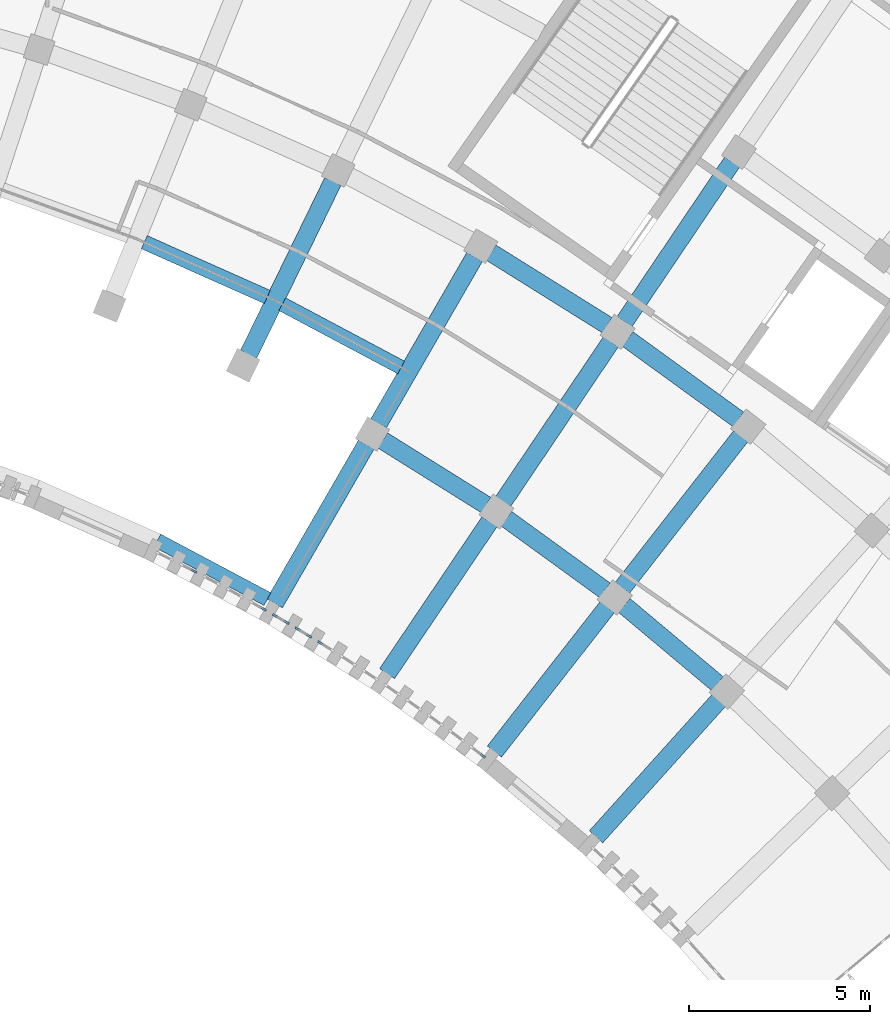
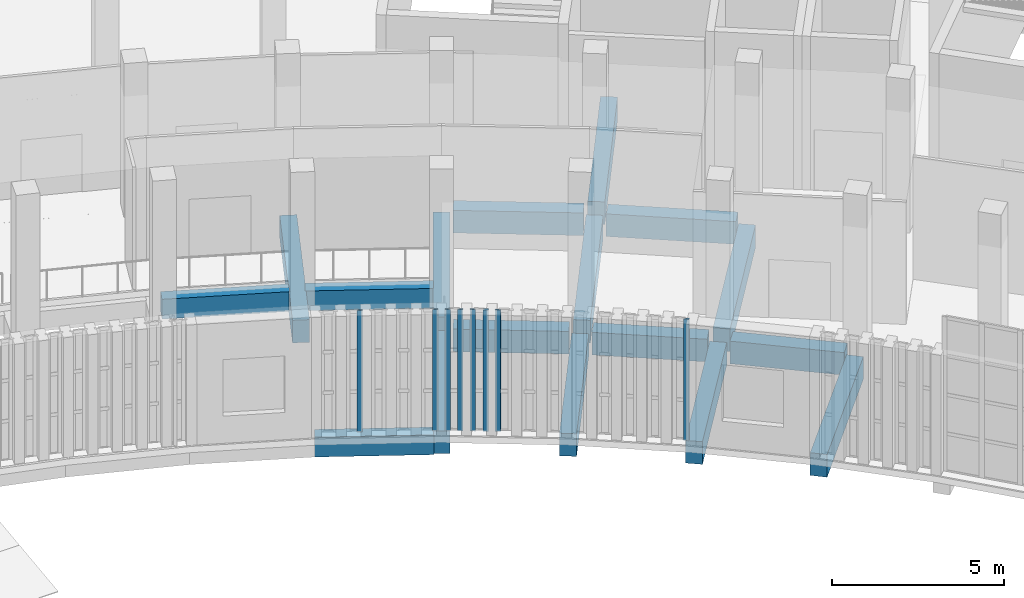
# One storey, part 15 of 112: 17 beams, 8 members, 6 elements without a shape of their own.
"""IFC4 building model written with IfcOpenShell, lengths in metres."""

from ifc_helpers import new_model, si_unit, direction, frame, origin, origin_2d, place, context, subcontext, project, spatial, rectangle, extrude, material, layer, layer_set, material_profile, profile_set, type_object, element, aggregate, save


model = new_model("IFC4")

# Units and contexts
model_context = context("Model", 3, precision=1e-05, world=origin(), true_north=direction((0.0, 1.0)))
body_context = subcontext(model_context, "Body", "Model", "MODEL_VIEW")
ifc_project = project(units=[si_unit("LENGTHUNIT", "METRE"), si_unit("AREAUNIT", "SQUARE_METRE"), si_unit("VOLUMEUNIT", "CUBIC_METRE"), si_unit("PLANEANGLEUNIT", "RADIAN"), si_unit("MASSUNIT", "GRAM", prefix="KILO")], contexts=[model_context])

# Site, building, storey
site_placement = place(None, origin())
site = spatial("IfcSite", under=ifc_project, at=site_placement, CompositionType="ELEMENT")
building_placement = place(site_placement, origin())
building = spatial("IfcBuilding", under=site, at=building_placement, Name="Lunette Opera House", CompositionType="ELEMENT")
storey_placement = place(building_placement, frame((0.0, 0.0, 6.0)))
storey = spatial("IfcBuildingStorey", under=building, at=storey_placement, Name="L01", CompositionType="ELEMENT", Elevation=6.0)

# Curtain wall, member
ifc_material_1 = material(Name="Aluminium", Category="aluminium")
ifc_layer = layer(ifc_material_1, 0.1201171875)
ifc_layer_set = layer_set([ifc_layer], Name="Aluminium")
curtain_wall_type = type_object("IfcCurtainWallType", Name="SLOT CURTAIN WALL", PredefinedType="NOTDEFINED", material=ifc_layer_set)
curtain_wall_1_placement = place(storey_placement, origin())
curtain_wall_1 = element("IfcCurtainWall", 1, at=curtain_wall_1_placement, inside=storey, type_object=curtain_wall_type, Name="Slot Curtain Wall CS062 L01", PredefinedType="NOTDEFINED")
ifc_material_2 = material(Name="Aluminium", Category="aluminium")
ifc_material_profile_1 = material_profile(ifc_material_2, rectangle(XDim=0.06005859375, YDim=0.159912109375, at=origin_2d()), Name="MULLION 60 X 160")
ifc_profile_set_1 = profile_set([ifc_material_profile_1], Name="Aluminium")
member_type = type_object("IfcMemberType", Name="MULLION 60 X 160", PredefinedType="MULLION", material=ifc_profile_set_1)
member_1_placement = place(storey_placement, frame((120.0703125, 46.431640625, 0.0), z_axis=(0.0, 0.0, 1.0), x_axis=(0.45650577905, 0.889720446935, 0.0)))
member_1 = element("IfcMember", 2, at=member_1_placement, type_object=member_type, Name="FC-X2124 mullion 2", PredefinedType="MULLION", context=body_context, shape_type="SweptSolid", body=[
    extrude(rectangle(XDim=0.06005859375, YDim=0.159912109375, at=origin_2d()), origin(), (0.0, 0.0, 1.0), 4.300048828125),
])
aggregate(curtain_wall_1, [member_1])

curtain_wall_2_placement = place(storey_placement, origin())
curtain_wall_2 = element("IfcCurtainWall", 3, at=curtain_wall_2_placement, inside=storey, type_object=curtain_wall_type, Name="Slot Curtain Wall CS065 L01", PredefinedType="NOTDEFINED")
member_2_placement = place(storey_placement, frame((121.993896484375, 45.3828125, 0.0), z_axis=(0.0, 0.0, 1.0), x_axis=(0.493129947711, 0.869955662474, 0.0)))
member_2 = element("IfcMember", 4, at=member_2_placement, type_object=member_type, Name="FC-X2130 mullion 2", PredefinedType="MULLION", context=body_context, shape_type="SweptSolid", body=[
    extrude(rectangle(XDim=0.06005859375, YDim=0.159912109375, at=origin_2d()), origin(), (0.0, 0.0, 1.0), 4.300048828125),
])
aggregate(curtain_wall_2, [member_2])

# Curtain wall, members
curtain_wall_3_placement = place(storey_placement, origin())
curtain_wall_3 = element("IfcCurtainWall", 5, at=curtain_wall_3_placement, inside=storey, type_object=curtain_wall_type, Name="Slot Curtain Wall CS066 L01", PredefinedType="NOTDEFINED")
member_3_placement = place(storey_placement, frame((122.305908203125, 45.202880859375, 0.0), z_axis=(0.0, 0.0, 1.0), x_axis=(0.506613832884, 0.862173082583, 0.0)))
member_3 = element("IfcMember", 6, at=member_3_placement, type_object=member_type, Name="FC-X2132 mullion 1", PredefinedType="MULLION", context=body_context, shape_type="SweptSolid", body=[
    extrude(rectangle(XDim=0.06005859375, YDim=0.159912109375, at=origin_2d()), origin(), (0.0, 0.0, 1.0), 4.300048828125),
])
member_4_placement = place(storey_placement, frame((122.625244140625, 45.01513671875, 0.0), z_axis=(0.0, 0.0, 1.0), x_axis=(0.506613832884, 0.862173082583, 0.0)))
member_4 = element("IfcMember", 7, at=member_4_placement, type_object=member_type, Name="FC-X2132 mullion 2", PredefinedType="MULLION", context=body_context, shape_type="SweptSolid", body=[
    extrude(rectangle(XDim=0.06005859375, YDim=0.159912109375, at=origin_2d()), origin(), (0.0, 0.0, 1.0), 4.300048828125),
])
aggregate(curtain_wall_3, [member_3, member_4])

curtain_wall_4_placement = place(storey_placement, origin())
curtain_wall_4 = element("IfcCurtainWall", 8, at=curtain_wall_4_placement, inside=storey, type_object=curtain_wall_type, Name="Slot Curtain Wall CS067 L01", PredefinedType="NOTDEFINED")
member_5_placement = place(storey_placement, frame((122.9345703125, 44.83154296875, 0.0), z_axis=(0.0, 0.0, 1.0), x_axis=(0.518250209625, 0.855229045475, 0.0)))
member_5 = element("IfcMember", 9, at=member_5_placement, type_object=member_type, Name="FC-X2134 mullion 1", PredefinedType="MULLION", context=body_context, shape_type="SweptSolid", body=[
    extrude(rectangle(XDim=0.06005859375, YDim=0.159912109375, at=origin_2d()), origin(), (0.0, 0.0, 1.0), 4.300048828125),
])
member_6_placement = place(storey_placement, frame((123.25146484375, 44.6396484375, 0.0), z_axis=(0.0, 0.0, 1.0), x_axis=(0.518250209625, 0.855229045475, 0.0)))
member_6 = element("IfcMember", 10, at=member_6_placement, type_object=member_type, Name="FC-X2134 mullion 2", PredefinedType="MULLION", context=body_context, shape_type="SweptSolid", body=[
    extrude(rectangle(XDim=0.06005859375, YDim=0.159912109375, at=origin_2d()), origin(), (0.0, 0.0, 1.0), 4.300048828125),
])
aggregate(curtain_wall_4, [member_5, member_6])

# Curtain wall, member
curtain_wall_5_placement = place(storey_placement, origin())
curtain_wall_5 = element("IfcCurtainWall", 11, at=curtain_wall_5_placement, inside=storey, type_object=curtain_wall_type, Name="Slot Curtain Wall CS068 L01", PredefinedType="NOTDEFINED")
member_7_placement = place(storey_placement, frame((123.557373046875, 44.451171875, 0.0), z_axis=(0.0, 0.0, 1.0), x_axis=(0.52979005735, 0.848128819893, 0.0)))
member_7 = element("IfcMember", 12, at=member_7_placement, type_object=member_type, Name="FC-X2136 mullion 1", PredefinedType="MULLION", context=body_context, shape_type="SweptSolid", body=[
    extrude(rectangle(XDim=0.06005859375, YDim=0.159912109375, at=origin_2d()), origin(), (0.0, 0.0, 1.0), 4.300048828125),
])
aggregate(curtain_wall_5, [member_7])

curtain_wall_6_placement = place(storey_placement, origin())
curtain_wall_6 = element("IfcCurtainWall", 13, at=curtain_wall_6_placement, inside=storey, type_object=curtain_wall_type, Name="Slot Curtain Wall CS075 L01", PredefinedType="NOTDEFINED")
member_8_placement = place(storey_placement, frame((128.05712890625, 41.3232421875, 0.0), z_axis=(0.0, 0.0, 1.0), x_axis=(0.610720263036, 0.791846424704, 0.0)))
member_8 = element("IfcMember", 14, at=member_8_placement, type_object=member_type, Name="FC-X2150 mullion 2", PredefinedType="MULLION", context=body_context, shape_type="SweptSolid", body=[
    extrude(rectangle(XDim=0.06005859375, YDim=0.159912109375, at=origin_2d()), origin(), (0.0, 0.0, 1.0), 4.300048828125),
])
aggregate(curtain_wall_6, [member_8])

# Beams
ifc_material_3 = material(Name="Concrete C35/45", Category="concrete")
ifc_material_profile_2 = material_profile(ifc_material_3, rectangle(XDim=0.39990234375, YDim=0.699951171875, at=origin_2d()), Name="RC BEAM 400X700")
ifc_profile_set_2 = profile_set([ifc_material_profile_2], Name="Concrete C35/45")
beam_type_1 = type_object("IfcBeamType", Name="RC BEAM 400X700", PredefinedType="BEAM", material=ifc_profile_set_2)
for number, where, z_axis, x_axis, name in (
    (15, (118.68701171875, 55.537109375, -0.570068359375), (0.913535831, -0.40675826418, 0.0), (0.40675826418, 0.913535831, 0.0), "beam-FC-L01-TRL01-013"),
    (16, (122.506103515625, 53.820068359375, -0.570068359375), (0.882932473202, -0.46949999762, 0.0), (0.46949999762, 0.882932473202, 0.0), "beam-FC-L01-TRL01-014"),
):
    element("IfcBeam", number, at=place(storey_placement, frame(where, z_axis=z_axis, x_axis=x_axis)), inside=storey, type_object=beam_type_1, Name=name, PredefinedType="BEAM", context=body_context, shape_type="SweptSolid", body=[
        extrude(rectangle(XDim=0.39990234375, YDim=0.699951171875, at=origin_2d()), origin(), (0.0, 0.0, 1.0), 3.727294921875),
    ])
beam_1_placement = place(storey_placement, frame((122.096923828125, 45.660888671875, -0.570068359375), z_axis=(-0.882884866183, 0.469589515496, 0.0), x_axis=(-0.469589515496, -0.882884866183, 0.0)))
element("IfcBeam", 17, at=beam_1_placement, inside=storey, type_object=beam_type_1, Name="beam-FC-L01-TRL01-015", PredefinedType="BEAM", context=body_context, shape_type="SweptSolid", body=[
    extrude(rectangle(XDim=0.39990234375, YDim=0.699951171875, at=origin_2d()), origin(), (0.0, 0.0, 1.0), 3.4521484375),
])
ifc_material_4 = material(Name="Concrete C35/45", Category="concrete")
ifc_material_profile_3 = material_profile(ifc_material_4, rectangle(XDim=0.5, YDim=0.800048828125, at=origin_2d()), Name="RC BEAM 500X800")
ifc_profile_set_3 = profile_set([ifc_material_profile_3], Name="Concrete C35/45")
beam_type_2 = type_object("IfcBeamType", Name="RC BEAM 500X800", PredefinedType="BEAM", material=ifc_profile_set_3)
beam_2_placement = place(storey_placement, frame((121.574951171875, 52.43603515625, -0.6201171875), z_axis=(0.438398312975, 0.898780795957, 0.0), x_axis=(-0.898780795957, 0.438398312975, 0.0)))
element("IfcBeam", 18, at=beam_2_placement, inside=storey, type_object=beam_type_2, Name="beam-FC-L01-L01-RB-RL-20-2", PredefinedType="BEAM", context=body_context, shape_type="SweptSolid", body=[
    extrude(rectangle(XDim=0.5, YDim=0.800048828125, at=origin_2d()), origin(), (0.0, 0.0, 1.0), 5.3193359375),
])
beam_3_placement = place(storey_placement, frame((122.294921875, 45.5439453125, -0.6201171875), z_axis=(0.499991985073, 0.866030031155, 0.0), x_axis=(-0.866030031155, 0.499991985073, 0.0)))
element("IfcBeam", 19, at=beam_3_placement, inside=storey, type_object=beam_type_2, Name="beam-FC-L01-L01-RB-RL-21-1", PredefinedType="BEAM", context=body_context, shape_type="SweptSolid", body=[
    extrude(rectangle(XDim=0.5, YDim=0.800048828125, at=origin_2d()), origin(), (0.0, 0.0, 1.0), 5.0703125),
])
beam_4_placement = place(storey_placement, frame((125.169921875, 50.52392578125, -0.6201171875), z_axis=(0.500028328365, 0.866009047777, 0.0), x_axis=(-0.866009047777, 0.500028328365, 0.0)))
element("IfcBeam", 20, at=beam_4_placement, inside=storey, type_object=beam_type_2, Name="beam-FC-L01-L01-RB-RL-21-2", PredefinedType="BEAM", context=body_context, shape_type="SweptSolid", body=[
    extrude(rectangle(XDim=0.5, YDim=0.800048828125, at=origin_2d()), origin(), (0.0, 0.0, 1.0), 5.320068359375),
])
beam_5_placement = place(storey_placement, frame((125.407958984375, 43.59912109375, -0.6201171875), z_axis=(0.559204020716, 0.82903007377, 0.0), x_axis=(-0.82903007377, 0.559204020716, 0.0)))
element("IfcBeam", 21, at=beam_5_placement, inside=storey, type_object=beam_type_2, Name="beam-FC-L01-L01-RB-RL-22-1", PredefinedType="BEAM", context=body_context, shape_type="SweptSolid", body=[
    extrude(rectangle(XDim=0.5, YDim=0.800048828125, at=origin_2d()), origin(), (0.0, 0.0, 1.0), 5.069580078125),
])
beam_6_placement = place(storey_placement, frame((128.623046875, 48.365966796875, -0.6201171875), z_axis=(0.559129198637, 0.829080538447, 0.0), x_axis=(-0.829080538447, 0.559129198637, 0.0)))
element("IfcBeam", 22, at=beam_6_placement, inside=storey, type_object=beam_type_2, Name="beam-FC-L01-L01-RB-RL-22-2", PredefinedType="BEAM", context=body_context, shape_type="SweptSolid", body=[
    extrude(rectangle(XDim=0.5, YDim=0.800048828125, at=origin_2d()), origin(), (0.0, 0.0, 1.0), 5.320556640625),
])
beam_7_placement = place(storey_placement, frame((131.97802734375, 53.340087890625, -0.6201171875), z_axis=(0.559150470636, 0.829066192284, 0.0), x_axis=(-0.829066192284, 0.559150470636, 0.0)))
element("IfcBeam", 23, at=beam_7_placement, inside=storey, type_object=beam_type_2, Name="beam-FC-L01-L01-RB-RL-22-3", PredefinedType="BEAM", context=body_context, shape_type="SweptSolid", body=[
    extrude(rectangle(XDim=0.5, YDim=0.800048828125, at=origin_2d()), origin(), (0.0, 0.0, 1.0), 5.3203125),
])
beam_8_placement = place(storey_placement, frame((128.3779296875, 41.44091796875, -0.6201171875), z_axis=(0.615539387219, 0.788106124061, 0.0), x_axis=(-0.788106124061, 0.615539387219, 0.0)))
element("IfcBeam", 24, at=beam_8_placement, inside=storey, type_object=beam_type_2, Name="beam-FC-L01-L01-RB-RL-23-1", PredefinedType="BEAM", context=body_context, shape_type="SweptSolid", body=[
    extrude(rectangle(XDim=0.5, YDim=0.800048828125, at=origin_2d()), origin(), (0.0, 0.0, 1.0), 5.070556640625),
])
beam_9_placement = place(storey_placement, frame((131.91796875, 45.972900390625, -0.6201171875), z_axis=(0.615648494847, 0.788020894896, 0.0), x_axis=(-0.788020894896, 0.615648494847, 0.0)))
element("IfcBeam", 25, at=beam_9_placement, inside=storey, type_object=beam_type_2, Name="beam-FC-L01-L01-RB-RL-23-2", PredefinedType="BEAM", context=body_context, shape_type="SweptSolid", body=[
    extrude(rectangle(XDim=0.5, YDim=0.800048828125, at=origin_2d()), origin(), (0.0, 0.0, 1.0), 5.31982421875),
])
beam_10_placement = place(storey_placement, frame((131.18994140625, 39.08203125, -0.6201171875), z_axis=(0.66905518217, 0.743212730792, 0.0), x_axis=(-0.743212730792, 0.66905518217, 0.0)))
element("IfcBeam", 26, at=beam_10_placement, inside=storey, type_object=beam_type_2, Name="beam-FC-L01-L01-RB-RL-24-1", PredefinedType="BEAM", context=body_context, shape_type="SweptSolid", body=[
    extrude(rectangle(XDim=0.5, YDim=0.800048828125, at=origin_2d()), origin(), (0.0, 0.0, 1.0), 5.070068359375),
])
beam_11_placement = place(storey_placement, frame((125.2890625, 50.049072265625, -0.6201171875), z_axis=(0.847892378533, -0.530168383088, 0.0), x_axis=(0.530168383088, 0.847892378533, 0.0)))
element("IfcBeam", 27, at=beam_11_placement, inside=storey, type_object=beam_type_2, Name="beam-FC-L01-L01-RG-AR-M1-RL-21", PredefinedType="BEAM", context=body_context, shape_type="SweptSolid", body=[
    extrude(rectangle(XDim=0.5, YDim=0.800048828125, at=origin_2d()), origin(), (0.0, 0.0, 1.0), 3.3671875),
])
beam_12_placement = place(storey_placement, frame((128.7080078125, 47.884033203125, -0.6201171875), z_axis=(0.809143406589, -0.587611221449, 0.0), x_axis=(0.587611221449, 0.809143406589, 0.0)))
element("IfcBeam", 28, at=beam_12_placement, inside=storey, type_object=beam_type_2, Name="beam-FC-L01-L01-RG-AR-M1-RL-22", PredefinedType="BEAM", context=body_context, shape_type="SweptSolid", body=[
    extrude(rectangle(XDim=0.5, YDim=0.800048828125, at=origin_2d()), origin(), (0.0, 0.0, 1.0), 3.367919921875),
])
beam_13_placement = place(storey_placement, frame((131.968994140625, 45.486083984375, -0.6201171875), z_axis=(0.766030340985, -0.642804415581, 0.0), x_axis=(0.642804415581, 0.766030340985, 0.0)))
element("IfcBeam", 29, at=beam_13_placement, inside=storey, type_object=beam_type_2, Name="beam-FC-L01-L01-RG-AR-M1-RL-23", PredefinedType="BEAM", context=body_context, shape_type="SweptSolid", body=[
    extrude(rectangle(XDim=0.5, YDim=0.800048828125, at=origin_2d()), origin(), (0.0, 0.0, 1.0), 3.3681640625),
])
beam_14_placement = place(storey_placement, frame((128.2880859375, 55.24609375, -0.6201171875), z_axis=(0.847925878507, -0.530114803187, 0.0), x_axis=(0.530114803187, 0.847925878507, 0.0)))
element("IfcBeam", 30, at=beam_14_placement, inside=storey, type_object=beam_type_2, Name="beam-FC-L01-L01-RG-AR-B-RL-21", PredefinedType="BEAM", context=body_context, shape_type="SweptSolid", body=[
    extrude(rectangle(XDim=0.5, YDim=0.800048828125, at=origin_2d()), origin(), (0.0, 0.0, 1.0), 3.7880859375),
])
beam_15_placement = place(storey_placement, frame((132.06298828125, 52.85791015625, -0.6201171875), z_axis=(0.809173599982, -0.58756964276, 0.0), x_axis=(0.58756964276, 0.809173599982, 0.0)))
element("IfcBeam", 31, at=beam_15_placement, inside=storey, type_object=beam_type_2, Name="beam-FC-L01-L01-RG-AR-B-RL-22", PredefinedType="BEAM", context=body_context, shape_type="SweptSolid", body=[
    extrude(rectangle(XDim=0.5, YDim=0.800048828125, at=origin_2d()), origin(), (0.0, 0.0, 1.0), 3.78662109375),
])

save(model, "model.ifc")
